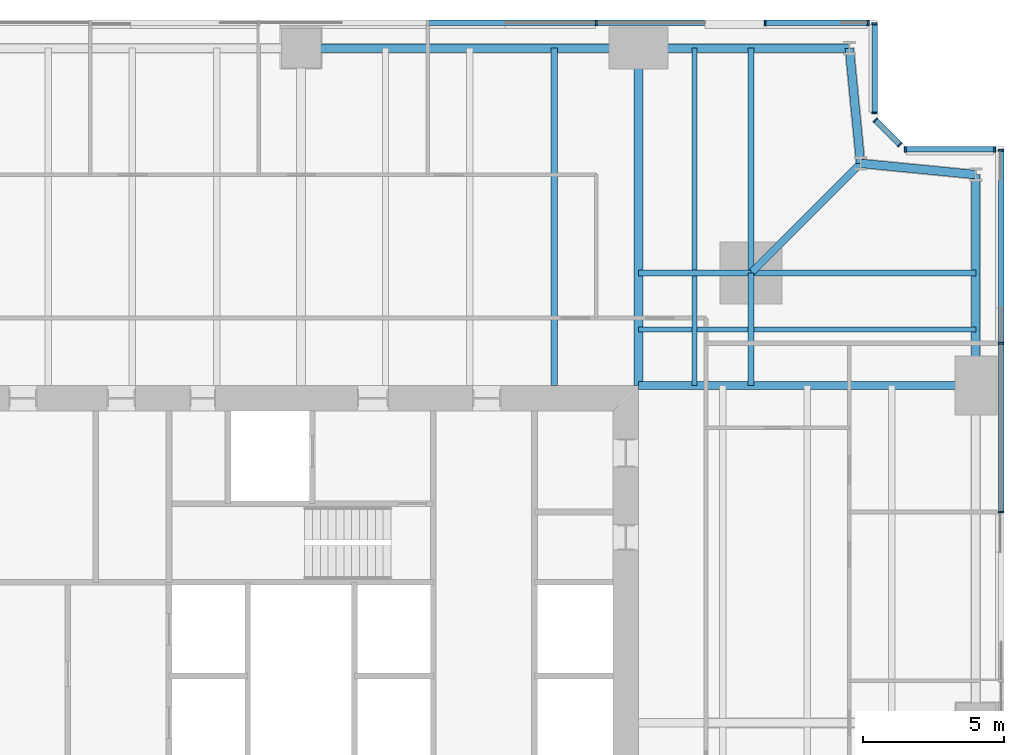
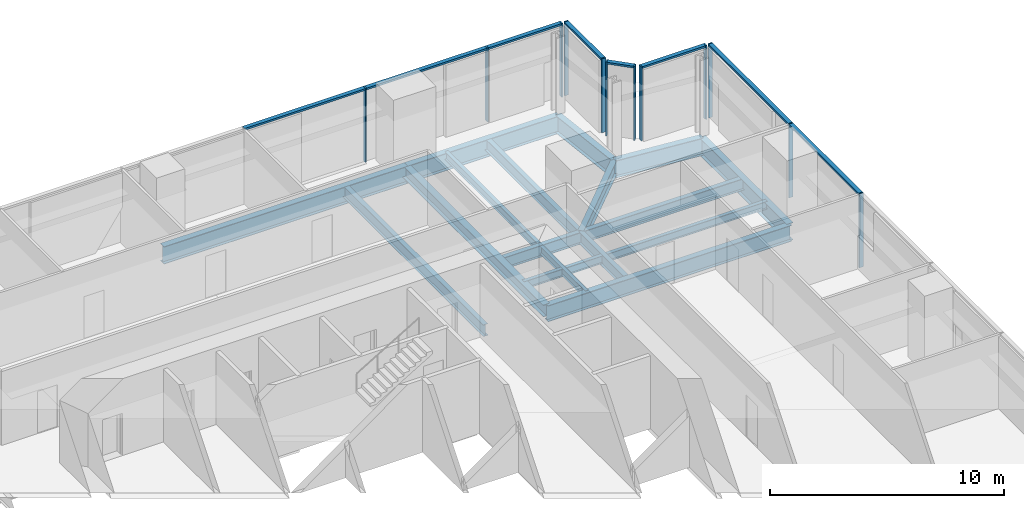
# One storey, part 7 of 13: 20 members, 18 beams, 5 elements without a shape of their own.
"""IFC4 building model written with IfcOpenShell, lengths in metres."""

from ifc_helpers import new_model, si_unit, direction, frame, origin, origin_2d, place, context, subcontext, project, spatial, rectangle, i_section, extrude, material, material_profile, profile_set, type_object, element, aggregate, save


model = new_model("IFC4")

# Units and contexts
model_context = context("Model", 3, precision=1e-05, world=origin(), true_north=direction((0.0, 1.0)))
body_context = subcontext(model_context, "Body", "Model", "MODEL_VIEW")
ifc_project = project(units=[si_unit("LENGTHUNIT", "METRE"), si_unit("AREAUNIT", "SQUARE_METRE"), si_unit("VOLUMEUNIT", "CUBIC_METRE"), si_unit("PLANEANGLEUNIT", "RADIAN"), si_unit("MASSUNIT", "GRAM", prefix="KILO")], contexts=[model_context])

# Site, building, storey
site_placement = place(None, origin())
site = spatial("IfcSite", under=ifc_project, at=site_placement, CompositionType="ELEMENT")
building_placement = place(site_placement, origin())
building = spatial("IfcBuilding", under=site, at=building_placement, Name="Fenwick Lantern Interchange", CompositionType="ELEMENT")
storey_placement = place(building_placement, frame((0.0, 0.0, 106.39990234375)))
storey = spatial("IfcBuildingStorey", under=building, at=storey_placement, Name="L24", CompositionType="ELEMENT", Elevation=106.39990234375)

# Beams
ifc_material_1 = material(Name="Steel ASTM A992 Grade 50", Category="steel")
ifc_material_profile_1 = material_profile(ifc_material_1, i_section(OverallWidth=0.3046875, OverallDepth=0.911865234375, WebThickness=0.015869140625, FlangeThickness=0.02392578125, at=origin_2d()), Name="W36X150")
ifc_profile_set_1 = profile_set([ifc_material_profile_1], Name="Steel ASTM A992 Grade 50")
beam_type_1 = type_object("IfcBeamType", Name="EDGE BEAM W36X150", PredefinedType="SPANDREL", material=ifc_profile_set_1)
beam_1_placement = place(storey_placement, frame((49.0, 37.0, -0.605712890625), z_axis=(0.0, 1.0, 0.0), x_axis=(-1.0, 0.0, 0.0)))
element("IfcBeam", 1, at=beam_1_placement, inside=storey, type_object=beam_type_1, Name="L24/FR/E/EB4", PredefinedType="SPANDREL", context=body_context, shape_type="SweptSolid", body=[
    extrude(i_section(OverallWidth=0.3046875, OverallDepth=0.911865234375, WebThickness=0.015869140625, FlangeThickness=0.02392578125, at=origin_2d()), origin(), (0.0, 0.0, 1.0), 7.5),
])
for number, where, z_axis, x_axis, name in (
    (2, (49.0, 44.5, -0.605712890625), (-0.995277148028, 0.097074191287, 0.0), (-0.097074191287, -0.995277148028, 0.0), "L24/FR/E/EBR1"),
    (3, (44.89990234375, 44.89990234375, -0.605712890625), (-0.097074191287, 0.995277148028, 0.0), (-0.995277148028, -0.097074191287, 0.0), "L24/FR/E/EBR2"),
):
    element("IfcBeam", number, at=place(storey_placement, frame(where, z_axis=z_axis, x_axis=x_axis)), inside=storey, type_object=beam_type_1, Name=name, PredefinedType="SPANDREL", context=body_context, shape_type="SweptSolid", body=[
        extrude(i_section(OverallWidth=0.3046875, OverallDepth=0.911865234375, WebThickness=0.015869140625, FlangeThickness=0.02392578125, at=origin_2d()), origin(), (0.0, 0.0, 1.0), 4.11962890625),
    ])
beam_2_placement = place(storey_placement, frame((44.5, 49.0, -0.605712890625), z_axis=(-1.0, 0.0, 0.0), x_axis=(0.0, -1.0, 0.0)))
element("IfcBeam", 4, at=beam_2_placement, inside=storey, type_object=beam_type_1, Name="L24/FR/N/EB1", PredefinedType="SPANDREL", context=body_context, shape_type="SweptSolid", body=[
    extrude(i_section(OverallWidth=0.3046875, OverallDepth=0.911865234375, WebThickness=0.015869140625, FlangeThickness=0.02392578125, at=origin_2d()), origin(), (0.0, 0.0, 1.0), 7.5),
])
beam_3_placement = place(storey_placement, frame((37.0, 49.0, -0.605712890625), z_axis=(-1.0, 0.0, 0.0), x_axis=(0.0, -1.0, 0.0)))
element("IfcBeam", 5, at=beam_3_placement, inside=storey, type_object=beam_type_1, Name="L24/FR/N/EB2", PredefinedType="SPANDREL", context=body_context, shape_type="SweptSolid", body=[
    extrude(i_section(OverallWidth=0.3046875, OverallDepth=0.911865234375, WebThickness=0.015869140625, FlangeThickness=0.02392578125, at=origin_2d()), origin(), (0.0, 0.0, 1.0), 12.0),
])
ifc_material_profile_2 = material_profile(ifc_material_1, i_section(OverallWidth=0.22900390625, OverallDepth=0.612060546875, WebThickness=0.011962890625, FlangeThickness=0.01953125, at=origin_2d()), Name="W24X84")
ifc_profile_set_2 = profile_set([ifc_material_profile_2], Name="Steel ASTM A992 Grade 50")
beam_type_2 = type_object("IfcBeamType", Name="FLOOR BEAM W24X84", PredefinedType="BEAM", material=ifc_profile_set_2)
beam_4_placement = place(storey_placement, frame((34.0, 49.0, -0.4560546875), z_axis=(0.0, -1.0, 0.0), x_axis=(1.0, 0.0, 0.0)))
element("IfcBeam", 6, at=beam_4_placement, inside=storey, type_object=beam_type_2, Name="L24/FR/N/R02", PredefinedType="BEAM", context=body_context, shape_type="SweptSolid", body=[
    extrude(i_section(OverallWidth=0.22900390625, OverallDepth=0.612060546875, WebThickness=0.011962890625, FlangeThickness=0.01953125, at=origin_2d()), origin(), (0.0, 0.0, 1.0), 12.0),
])
ifc_material_profile_3 = material_profile(ifc_material_1, i_section(OverallWidth=0.177734375, OverallDepth=0.406494140625, WebThickness=0.0078125, FlangeThickness=0.012939453125, at=origin_2d()), Name="W16X40")
ifc_profile_set_3 = profile_set([ifc_material_profile_3], Name="Steel ASTM A992 Grade 50")
beam_type_3 = type_object("IfcBeamType", Name="INFILL BEAM W16X40", PredefinedType="JOIST", material=ifc_profile_set_3)
beam_5_placement = place(storey_placement, frame((39.0, 49.0, -0.35302734375), z_axis=(0.0, -1.0, 0.0), x_axis=(1.0, 0.0, 0.0)))
element("IfcBeam", 7, at=beam_5_placement, inside=storey, type_object=beam_type_3, Name="L24/FR/N/J1", PredefinedType="JOIST", context=body_context, shape_type="SweptSolid", body=[
    extrude(i_section(OverallWidth=0.177734375, OverallDepth=0.406494140625, WebThickness=0.0078125, FlangeThickness=0.012939453125, at=origin_2d()), origin(), (0.0, 0.0, 1.0), 7.885498046875),
])
beam_6_placement = place(storey_placement, frame((39.0, 40.885498046875, -0.35302734375), z_axis=(0.0, -1.0, 0.0), x_axis=(1.0, 0.0, 0.0)))
element("IfcBeam", 8, at=beam_6_placement, inside=storey, type_object=beam_type_3, Name="L24/FR/N/J2", PredefinedType="JOIST", context=body_context, shape_type="SweptSolid", body=[
    extrude(i_section(OverallWidth=0.177734375, OverallDepth=0.406494140625, WebThickness=0.0078125, FlangeThickness=0.012939453125, at=origin_2d()), origin(), (0.0, 0.0, 1.0), 3.885498046875),
])
beam_7_placement = place(storey_placement, frame((49.0, 39.0, -0.35302734375), z_axis=(-1.0, 0.0, 0.0), x_axis=(0.0, -1.0, 0.0)))
element("IfcBeam", 9, at=beam_7_placement, inside=storey, type_object=beam_type_3, Name="L24/FR/N/J3", PredefinedType="JOIST", context=body_context, shape_type="SweptSolid", body=[
    extrude(i_section(OverallWidth=0.177734375, OverallDepth=0.406494140625, WebThickness=0.0078125, FlangeThickness=0.012939453125, at=origin_2d()), origin(), (0.0, 0.0, 1.0), 7.885498046875),
])
beam_8_placement = place(storey_placement, frame((40.885498046875, 39.0, -0.35302734375), z_axis=(-1.0, 0.0, 0.0), x_axis=(0.0, -1.0, 0.0)))
element("IfcBeam", 10, at=beam_8_placement, inside=storey, type_object=beam_type_3, Name="L24/FR/N/J4", PredefinedType="JOIST", context=body_context, shape_type="SweptSolid", body=[
    extrude(i_section(OverallWidth=0.177734375, OverallDepth=0.406494140625, WebThickness=0.0078125, FlangeThickness=0.012939453125, at=origin_2d()), origin(), (0.0, 0.0, 1.0), 1.796630859375),
])
beam_9_placement = place(storey_placement, frame((38.9111328125, 39.0, -0.35302734375), z_axis=(-1.0, 0.0, 0.0), x_axis=(0.0, -1.0, 0.0)))
element("IfcBeam", 11, at=beam_9_placement, inside=storey, type_object=beam_type_3, Name="L24/FR/N/J5", PredefinedType="JOIST", context=body_context, shape_type="SweptSolid", body=[
    extrude(i_section(OverallWidth=0.177734375, OverallDepth=0.406494140625, WebThickness=0.0078125, FlangeThickness=0.012939453125, at=origin_2d()), origin(), (0.0, 0.0, 1.0), 1.9111328125),
])
ifc_material_profile_4 = material_profile(ifc_material_1, i_section(OverallWidth=0.22900390625, OverallDepth=0.612060546875, WebThickness=0.011962890625, FlangeThickness=0.01953125, at=origin_2d()), Name="W24X84")
ifc_profile_set_4 = profile_set([ifc_material_profile_4], Name="Steel ASTM A992 Grade 50")
beam_type_4 = type_object("IfcBeamType", Name="MEGA COLUMN BEAM W24X84", PredefinedType="BEAM", material=ifc_profile_set_4)
for number, where, z_axis, x_axis, name in (
    (12, (41.0, 41.0, -0.4560546875), (0.0, 1.0, 0.0), (-1.0, 0.0, 0.0), "L24/FR/N/MB1"),
    (13, (41.0, 41.0, -0.4560546875), (1.0, 0.0, 0.0), (0.0, 1.0, 0.0), "L24/FR/N/MB2"),
):
    element("IfcBeam", number, at=place(storey_placement, frame(where, z_axis=z_axis, x_axis=x_axis)), inside=storey, type_object=beam_type_4, Name=name, PredefinedType="BEAM", context=body_context, shape_type="SweptSolid", body=[
        extrude(i_section(OverallWidth=0.22900390625, OverallDepth=0.612060546875, WebThickness=0.011962890625, FlangeThickness=0.01953125, at=origin_2d()), origin(), (0.0, 0.0, 1.0), 8.0),
    ])
for number, where, z_axis, x_axis, name in (
    (14, (41.0, 41.0, -0.4560546875), (-1.0, 0.0, 0.0), (0.0, -1.0, 0.0), "L24/FR/N/MB3"),
    (15, (41.0, 41.0, -0.4560546875), (0.0, -1.0, 0.0), (1.0, 0.0, 0.0), "L24/FR/N/MB4"),
):
    element("IfcBeam", number, at=place(storey_placement, frame(where, z_axis=z_axis, x_axis=x_axis)), inside=storey, type_object=beam_type_4, Name=name, PredefinedType="BEAM", context=body_context, shape_type="SweptSolid", body=[
        extrude(i_section(OverallWidth=0.22900390625, OverallDepth=0.612060546875, WebThickness=0.011962890625, FlangeThickness=0.01953125, at=origin_2d()), origin(), (0.0, 0.0, 1.0), 4.0),
    ])
ifc_material_profile_5 = material_profile(ifc_material_1, i_section(OverallWidth=0.32763671875, OverallDepth=0.622314453125, WebThickness=0.015380859375, FlangeThickness=0.0244140625, at=origin_2d()), Name="W24X131")
ifc_profile_set_5 = profile_set([ifc_material_profile_5], Name="Steel ASTM A992 Grade 50")
beam_type_5 = type_object("IfcBeamType", Name="MOMENT-CONNECTED GIRDER W24X131", PredefinedType="BEAM", material=ifc_profile_set_5)
beam_10_placement = place(storey_placement, frame((37.0, 49.0, -0.4609375), z_axis=(0.0, -1.0, 0.0), x_axis=(1.0, 0.0, 0.0)))
element("IfcBeam", 16, at=beam_10_placement, inside=storey, type_object=beam_type_5, Name="L24/FR/N/R01", PredefinedType="BEAM", context=body_context, shape_type="SweptSolid", body=[
    extrude(i_section(OverallWidth=0.32763671875, OverallDepth=0.622314453125, WebThickness=0.015380859375, FlangeThickness=0.0244140625, at=origin_2d()), origin(), (0.0, 0.0, 1.0), 12.0),
])
ifc_material_profile_6 = material_profile(ifc_material_1, i_section(OverallWidth=0.2919921875, OverallDepth=0.845703125, WebThickness=0.015380859375, FlangeThickness=0.0244140625, at=origin_2d()), Name="W33X141")
ifc_profile_set_6 = profile_set([ifc_material_profile_6], Name="Steel ASTM A992 Grade 50")
beam_type_6 = type_object("IfcBeamType", Name="MOMENT-CONNECTED GIRDER W33X141", PredefinedType="BEAM", material=ifc_profile_set_6)
beam_11_placement = place(storey_placement, frame((49.0, 37.0, -0.57275390625), z_axis=(-1.0, 0.0, 0.0), x_axis=(0.0, -1.0, 0.0)))
element("IfcBeam", 17, at=beam_11_placement, inside=storey, type_object=beam_type_6, Name="L24/FR/E/R03", PredefinedType="BEAM", context=body_context, shape_type="SweptSolid", body=[
    extrude(i_section(OverallWidth=0.2919921875, OverallDepth=0.845703125, WebThickness=0.015380859375, FlangeThickness=0.0244140625, at=origin_2d()), origin(), (0.0, 0.0, 1.0), 12.0),
])
ifc_material_profile_7 = material_profile(ifc_material_1, i_section(OverallWidth=0.2666015625, OverallDepth=0.7568359375, WebThickness=0.013916015625, FlangeThickness=0.019287109375, at=origin_2d()), Name="W30X108")
ifc_profile_set_7 = profile_set([ifc_material_profile_7], Name="Steel ASTM A992 Grade 50")
beam_type_7 = type_object("IfcBeamType", Name="NOTCH BEAM W30X108", PredefinedType="BEAM", material=ifc_profile_set_7)
beam_12_placement = place(storey_placement, frame((41.0, 41.0, -0.5283203125), z_axis=(0.707106781187, 0.707106781187, 0.0), x_axis=(-0.707106781187, 0.707106781187, 0.0)))
element("IfcBeam", 18, at=beam_12_placement, inside=storey, type_object=beam_type_7, Name="L24/FR/N/TG", PredefinedType="BEAM", context=body_context, shape_type="SweptSolid", body=[
    extrude(i_section(OverallWidth=0.2666015625, OverallDepth=0.7568359375, WebThickness=0.013916015625, FlangeThickness=0.019287109375, at=origin_2d()), origin(), (0.0, 0.0, 1.0), 5.515380859375),
])

# Curtain wall, members
ifc_material_2 = material(Name="Aluminium curtain wall frame", Category="aluminium")
curtain_wall_type = type_object("IfcCurtainWallType", Name="OFFICE CURTAIN WALL", PredefinedType="USERDEFINED", material=ifc_material_2)
curtain_wall_1_placement = place(storey_placement, origin())
curtain_wall_1 = element("IfcCurtainWall", 19, at=curtain_wall_1_placement, inside=storey, type_object=curtain_wall_type, Name="Office curtain wall 05", ObjectType="OFFICE CURTAIN WALL", PredefinedType="USERDEFINED")
ifc_material_3 = material(Name="Aluminium extrusion", Category="aluminium")
ifc_material_profile_8 = material_profile(ifc_material_3, rectangle(XDim=0.199951171875, YDim=0.06494140625, at=origin_2d()), Name="OFFICE CURTAIN WALL MULLION 65 X 200")
ifc_profile_set_8 = profile_set([ifc_material_profile_8], Name="Aluminium extrusion")
member_type_1 = type_object("IfcMemberType", Name="OFFICE CURTAIN WALL MULLION 65 X 200", PredefinedType="MULLION", material=ifc_profile_set_8)
member_1_placement = place(storey_placement, frame((49.89990234375, 32.5, 0.0), z_axis=(0.0, 0.0, 1.0), x_axis=(-1.0, 0.0, 0.0)))
member_1 = element("IfcMember", 20, at=member_1_placement, type_object=member_type_1, Name="L24/CW/05/M05", PredefinedType="MULLION", context=body_context, shape_type="SweptSolid", body=[
    extrude(rectangle(XDim=0.199951171875, YDim=0.06494140625, at=origin_2d()), origin(), (0.0, 0.0, 1.0), 3.85009765625),
])
member_2_placement = place(storey_placement, frame((49.89990234375, 38.5, 0.0), z_axis=(0.0, 0.0, 1.0), x_axis=(-1.0, 0.0, 0.0)))
member_2 = element("IfcMember", 21, at=member_2_placement, type_object=member_type_1, Name="L24/CW/05/M06", PredefinedType="MULLION", context=body_context, shape_type="SweptSolid", body=[
    extrude(rectangle(XDim=0.199951171875, YDim=0.06494140625, at=origin_2d()), origin(), (0.0, 0.0, 1.0), 3.85009765625),
])
member_3_placement = place(storey_placement, frame((49.89990234375, 45.367431640625, 0.0), z_axis=(0.0, 0.0, 1.0), x_axis=(-1.0, 0.0, 0.0)))
member_3 = element("IfcMember", 22, at=member_3_placement, type_object=member_type_1, Name="L24/CW/05/M07", PredefinedType="MULLION", context=body_context, shape_type="SweptSolid", body=[
    extrude(rectangle(XDim=0.199951171875, YDim=0.06494140625, at=origin_2d()), origin(), (0.0, 0.0, 1.0), 3.85009765625),
])

curtain_wall_2_placement = place(storey_placement, origin())
curtain_wall_2 = element("IfcCurtainWall", 23, at=curtain_wall_2_placement, inside=storey, type_object=curtain_wall_type, Name="Office curtain wall 06", ObjectType="OFFICE CURTAIN WALL", PredefinedType="USERDEFINED")
member_4_placement = place(storey_placement, frame((49.66748046875, 45.39990234375, 0.0), z_axis=(0.0, 0.0, 1.0), x_axis=(0.0, -1.0, 0.0)))
member_4 = element("IfcMember", 24, at=member_4_placement, type_object=member_type_1, Name="L24/CW/06/M00", PredefinedType="MULLION", context=body_context, shape_type="SweptSolid", body=[
    extrude(rectangle(XDim=0.199951171875, YDim=0.06494140625, at=origin_2d()), origin(), (0.0, 0.0, 1.0), 3.85009765625),
])
member_5_placement = place(storey_placement, frame((46.490966796875, 45.39990234375, 0.0), z_axis=(0.0, 0.0, 1.0), x_axis=(0.0, -1.0, 0.0)))
member_5 = element("IfcMember", 25, at=member_5_placement, type_object=member_type_1, Name="L24/CW/06/M01", PredefinedType="MULLION", context=body_context, shape_type="SweptSolid", body=[
    extrude(rectangle(XDim=0.199951171875, YDim=0.06494140625, at=origin_2d()), origin(), (0.0, 0.0, 1.0), 3.85009765625),
])

curtain_wall_3_placement = place(storey_placement, origin())
curtain_wall_3 = element("IfcCurtainWall", 26, at=curtain_wall_3_placement, inside=storey, type_object=curtain_wall_type, Name="Office curtain wall 07", ObjectType="OFFICE CURTAIN WALL", PredefinedType="USERDEFINED")
member_6_placement = place(storey_placement, frame((46.294189453125, 45.564453125, 0.0), z_axis=(0.0, 0.0, 1.0), x_axis=(-0.707106781187, -0.707106781187, 0.0)))
member_6 = element("IfcMember", 27, at=member_6_placement, type_object=member_type_1, Name="L24/CW/07/M00", PredefinedType="MULLION", context=body_context, shape_type="SweptSolid", body=[
    extrude(rectangle(XDim=0.199951171875, YDim=0.06494140625, at=origin_2d()), origin(), (0.0, 0.0, 1.0), 3.85009765625),
])
member_7_placement = place(storey_placement, frame((45.423095703125, 46.435546875, 0.0), z_axis=(0.0, 0.0, 1.0), x_axis=(-0.707106781187, -0.707106781187, 0.0)))
member_7 = element("IfcMember", 28, at=member_7_placement, type_object=member_type_1, Name="L24/CW/07/M01", PredefinedType="MULLION", context=body_context, shape_type="SweptSolid", body=[
    extrude(rectangle(XDim=0.199951171875, YDim=0.06494140625, at=origin_2d()), origin(), (0.0, 0.0, 1.0), 3.85009765625),
])

curtain_wall_4_placement = place(storey_placement, origin())
curtain_wall_4 = element("IfcCurtainWall", 29, at=curtain_wall_4_placement, inside=storey, type_object=curtain_wall_type, Name="Office curtain wall 08", ObjectType="OFFICE CURTAIN WALL", PredefinedType="USERDEFINED")
member_8_placement = place(storey_placement, frame((45.39990234375, 46.691162109375, 0.0), z_axis=(0.0, 0.0, 1.0), x_axis=(-1.0, 0.0, 0.0)))
member_8 = element("IfcMember", 30, at=member_8_placement, type_object=member_type_1, Name="L24/CW/08/M00", PredefinedType="MULLION", context=body_context, shape_type="SweptSolid", body=[
    extrude(rectangle(XDim=0.199951171875, YDim=0.06494140625, at=origin_2d()), origin(), (0.0, 0.0, 1.0), 3.85009765625),
])
member_9_placement = place(storey_placement, frame((45.39990234375, 49.867431640625, 0.0), z_axis=(0.0, 0.0, 1.0), x_axis=(-1.0, 0.0, 0.0)))
member_9 = element("IfcMember", 31, at=member_9_placement, type_object=member_type_1, Name="L24/CW/08/M01", PredefinedType="MULLION", context=body_context, shape_type="SweptSolid", body=[
    extrude(rectangle(XDim=0.199951171875, YDim=0.06494140625, at=origin_2d()), origin(), (0.0, 0.0, 1.0), 3.85009765625),
])

curtain_wall_5_placement = place(storey_placement, origin())
curtain_wall_5 = element("IfcCurtainWall", 32, at=curtain_wall_5_placement, inside=storey, type_object=curtain_wall_type, Name="Office curtain wall 09", ObjectType="OFFICE CURTAIN WALL", PredefinedType="USERDEFINED")
member_10_placement = place(storey_placement, frame((45.16748046875, 49.89990234375, 0.0), z_axis=(0.0, 0.0, 1.0), x_axis=(0.0, -1.0, 0.0)))
member_10 = element("IfcMember", 33, at=member_10_placement, type_object=member_type_1, Name="L24/CW/09/M00", PredefinedType="MULLION", context=body_context, shape_type="SweptSolid", body=[
    extrude(rectangle(XDim=0.199951171875, YDim=0.06494140625, at=origin_2d()), origin(), (0.0, 0.0, 1.0), 3.85009765625),
])
member_11_placement = place(storey_placement, frame((41.5, 49.89990234375, 0.0), z_axis=(0.0, 0.0, 1.0), x_axis=(0.0, -1.0, 0.0)))
member_11 = element("IfcMember", 34, at=member_11_placement, type_object=member_type_1, Name="L24/CW/09/M01", PredefinedType="MULLION", context=body_context, shape_type="SweptSolid", body=[
    extrude(rectangle(XDim=0.199951171875, YDim=0.06494140625, at=origin_2d()), origin(), (0.0, 0.0, 1.0), 3.85009765625),
])
member_12_placement = place(storey_placement, frame((35.5, 49.89990234375, 0.0), z_axis=(0.0, 0.0, 1.0), x_axis=(0.0, -1.0, 0.0)))
member_12 = element("IfcMember", 35, at=member_12_placement, type_object=member_type_1, Name="L24/CW/09/M02", PredefinedType="MULLION", context=body_context, shape_type="SweptSolid", body=[
    extrude(rectangle(XDim=0.199951171875, YDim=0.06494140625, at=origin_2d()), origin(), (0.0, 0.0, 1.0), 3.85009765625),
])

# Member
ifc_material_profile_9 = material_profile(ifc_material_3, rectangle(XDim=0.199951171875, YDim=0.10009765625, at=origin_2d()), Name="OFFICE CURTAIN WALL TRANSOM 100 X 200")
ifc_profile_set_9 = profile_set([ifc_material_profile_9], Name="Aluminium extrusion")
member_type_2 = type_object("IfcMemberType", Name="OFFICE CURTAIN WALL TRANSOM 100 X 200", PredefinedType="MULLION", material=ifc_profile_set_9)
member_13_placement = place(storey_placement, frame((49.89990234375, 32.532470703125, 3.800048828125), z_axis=(0.0, 1.0, 0.0), x_axis=(-1.0, 0.0, 0.0)))
member_13 = element("IfcMember", 36, at=member_13_placement, type_object=member_type_2, Name="L24/CW/05/T05", PredefinedType="MULLION", context=body_context, shape_type="SweptSolid", body=[
    extrude(rectangle(XDim=0.199951171875, YDim=0.10009765625, at=origin_2d()), origin(), (0.0, 0.0, 1.0), 5.93505859375),
])

member_14_placement = place(storey_placement, frame((49.89990234375, 38.532470703125, 3.800048828125), z_axis=(0.0, 1.0, 0.0), x_axis=(-1.0, 0.0, 0.0)))
member_14 = element("IfcMember", 37, at=member_14_placement, type_object=member_type_2, Name="L24/CW/05/T06", PredefinedType="MULLION", context=body_context, shape_type="SweptSolid", body=[
    extrude(rectangle(XDim=0.199951171875, YDim=0.10009765625, at=origin_2d()), origin(), (0.0, 0.0, 1.0), 6.802490234375),
])

aggregate(curtain_wall_1, [member_1, member_2, member_3, member_13, member_14])

member_15_placement = place(storey_placement, frame((49.635009765625, 45.39990234375, 3.800048828125), z_axis=(-1.0, 0.0, 0.0), x_axis=(0.0, -1.0, 0.0)))
member_15 = element("IfcMember", 38, at=member_15_placement, type_object=member_type_2, Name="L24/CW/06/T00", PredefinedType="MULLION", context=body_context, shape_type="SweptSolid", body=[
    extrude(rectangle(XDim=0.199951171875, YDim=0.10009765625, at=origin_2d()), origin(), (0.0, 0.0, 1.0), 3.111328125),
])

aggregate(curtain_wall_2, [member_4, member_5, member_15])

member_16_placement = place(storey_placement, frame((46.271240234375, 45.58740234375, 3.800048828125), z_axis=(-0.707106781187, 0.707106781187, 0.0), x_axis=(-0.707106781187, -0.707106781187, 0.0)))
member_16 = element("IfcMember", 39, at=member_16_placement, type_object=member_type_2, Name="L24/CW/07/T00", PredefinedType="MULLION", context=body_context, shape_type="SweptSolid", body=[
    extrude(rectangle(XDim=0.199951171875, YDim=0.10009765625, at=origin_2d()), origin(), (0.0, 0.0, 1.0), 1.1669921875),
])

aggregate(curtain_wall_3, [member_6, member_7, member_16])

member_17_placement = place(storey_placement, frame((45.39990234375, 46.7236328125, 3.800048828125), z_axis=(0.0, 1.0, 0.0), x_axis=(-1.0, 0.0, 0.0)))
member_17 = element("IfcMember", 40, at=member_17_placement, type_object=member_type_2, Name="L24/CW/08/T00", PredefinedType="MULLION", context=body_context, shape_type="SweptSolid", body=[
    extrude(rectangle(XDim=0.199951171875, YDim=0.10009765625, at=origin_2d()), origin(), (0.0, 0.0, 1.0), 3.111328125),
])

aggregate(curtain_wall_4, [member_8, member_9, member_17])

member_18_placement = place(storey_placement, frame((45.135009765625, 49.89990234375, 3.800048828125), z_axis=(-1.0, 0.0, 0.0), x_axis=(0.0, -1.0, 0.0)))
member_18 = element("IfcMember", 41, at=member_18_placement, type_object=member_type_2, Name="L24/CW/09/T00", PredefinedType="MULLION", context=body_context, shape_type="SweptSolid", body=[
    extrude(rectangle(XDim=0.199951171875, YDim=0.10009765625, at=origin_2d()), origin(), (0.0, 0.0, 1.0), 3.6025390625),
])

member_19_placement = place(storey_placement, frame((41.467529296875, 49.89990234375, 3.800048828125), z_axis=(-1.0, 0.0, 0.0), x_axis=(0.0, -1.0, 0.0)))
member_19 = element("IfcMember", 42, at=member_19_placement, type_object=member_type_2, Name="L24/CW/09/T01", PredefinedType="MULLION", context=body_context, shape_type="SweptSolid", body=[
    extrude(rectangle(XDim=0.199951171875, YDim=0.10009765625, at=origin_2d()), origin(), (0.0, 0.0, 1.0), 5.93505859375),
])

member_20_placement = place(storey_placement, frame((35.467529296875, 49.89990234375, 3.800048828125), z_axis=(-1.0, 0.0, 0.0), x_axis=(0.0, -1.0, 0.0)))
member_20 = element("IfcMember", 43, at=member_20_placement, type_object=member_type_2, Name="L24/CW/09/T02", PredefinedType="MULLION", context=body_context, shape_type="SweptSolid", body=[
    extrude(rectangle(XDim=0.199951171875, YDim=0.10009765625, at=origin_2d()), origin(), (0.0, 0.0, 1.0), 5.93505859375),
])

aggregate(curtain_wall_5, [member_10, member_11, member_12, member_18, member_19, member_20])

save(model, "model.ifc")
